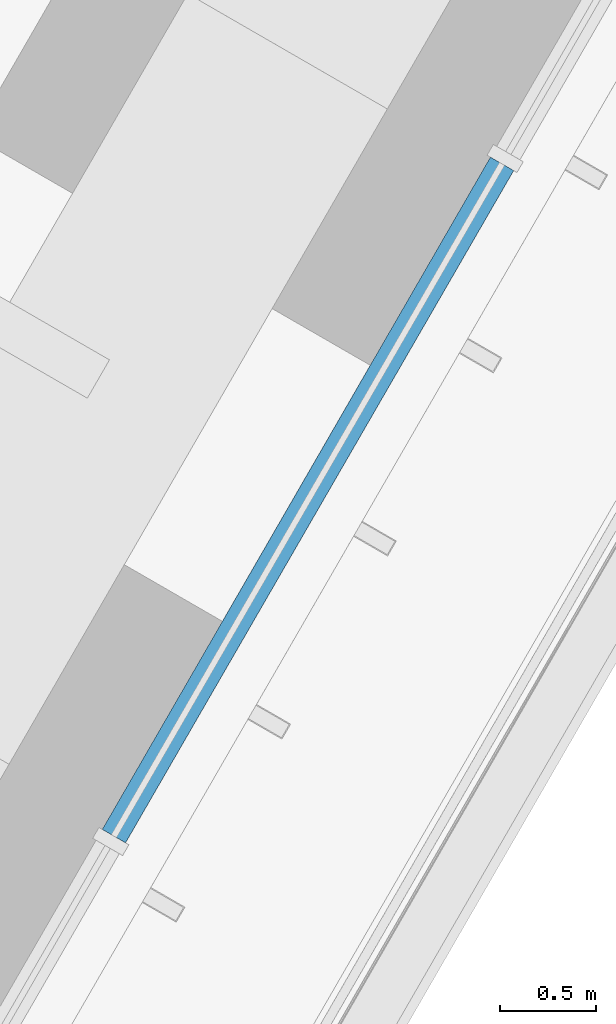
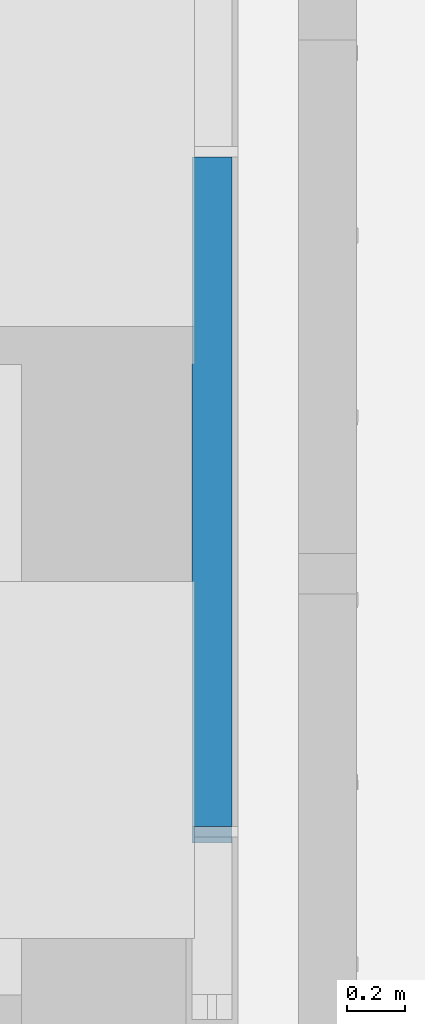
# One storey, part 96 of 238: 1 member, 1 element without a shape of its own.
"""IFC4 building model written with IfcOpenShell, lengths in metres."""

from ifc_helpers import new_model, si_unit, direction, frame, origin, origin_2d, place, context, subcontext, project, spatial, rectangle, extrude, material, material_profile, profile_set, type_object, element, aggregate, save


model = new_model("IFC4")

# Units and contexts
model_context = context("Model", 3, precision=1e-05, world=origin(), true_north=direction((0.0, 1.0)))
body_context = subcontext(model_context, "Body", "Model", "MODEL_VIEW")
ifc_project = project(units=[si_unit("LENGTHUNIT", "METRE"), si_unit("AREAUNIT", "SQUARE_METRE"), si_unit("VOLUMEUNIT", "CUBIC_METRE"), si_unit("PLANEANGLEUNIT", "RADIAN"), si_unit("MASSUNIT", "GRAM", prefix="KILO")], contexts=[model_context])

# Site, building, storey
site_placement = place(None, origin())
site = spatial("IfcSite", under=ifc_project, at=site_placement, CompositionType="ELEMENT")
building_placement = place(site_placement, origin())
building = spatial("IfcBuilding", under=site, at=building_placement, Name="Sandreach Pilgrim Tower", CompositionType="ELEMENT")
storey_placement = place(building_placement, frame((0.0, 0.0, 96.800048828125)))
storey = spatial("IfcBuildingStorey", under=building, at=storey_placement, Name="L23", CompositionType="ELEMENT", Elevation=96.800048828125)

# Curtain wall, member
ifc_material_1 = material(Name="Aluminium framed curtain wall", Category="aluminium")
curtain_wall_type = type_object("IfcCurtainWallType", Name="Hotel tower curtain wall", PredefinedType="NOTDEFINED", material=ifc_material_1)
curtain_wall_placement = place(storey_placement, origin())
curtain_wall = element("IfcCurtainWall", 1, at=curtain_wall_placement, inside=storey, type_object=curtain_wall_type, Name="CW-2 L23 SE", PredefinedType="NOTDEFINED")
ifc_material_2 = material(Name="Aluminium extrusion", Category="aluminium")
ifc_material_profile = material_profile(ifc_material_2, rectangle(XDim=0.139892578125, YDim=0.070068359375, at=origin_2d()), Name="CW-2T 140X70")
ifc_profile_set = profile_set([ifc_material_profile], Name="Aluminium extrusion")
member_type = type_object("IfcMemberType", Name="CW-2 transom", PredefinedType="USERDEFINED", material=ifc_profile_set)
member_placement = place(storey_placement, frame((20.49072265625, -9.49658203125, 3.60498046875), z_axis=(-0.499997818338, -0.866026663364, 0.0), x_axis=(0.866026663364, -0.499997818338, 0.0)))
member = element("IfcMember", 2, at=member_placement, type_object=member_type, Name="CW-2 head transom 5", ObjectType="TRANSOM", PredefinedType="USERDEFINED", context=body_context, shape_type="SweptSolid", body=[
    extrude(rectangle(XDim=0.139892578125, YDim=0.070068359375, at=origin_2d()), origin(), (0.0, 0.0, 1.0), 4.0419921875),
])
aggregate(curtain_wall, [member])

save(model, "model.ifc")
